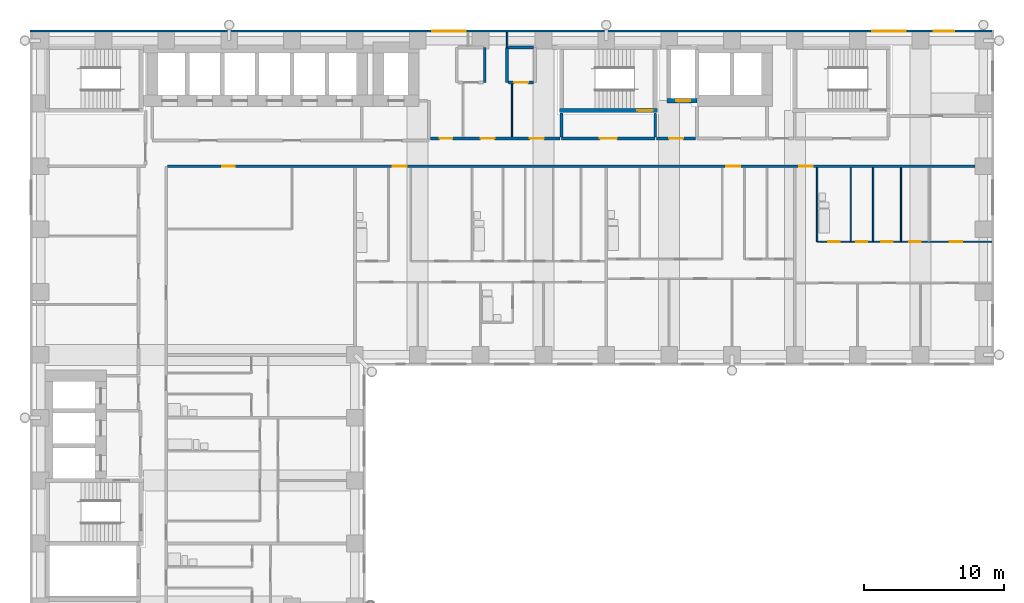
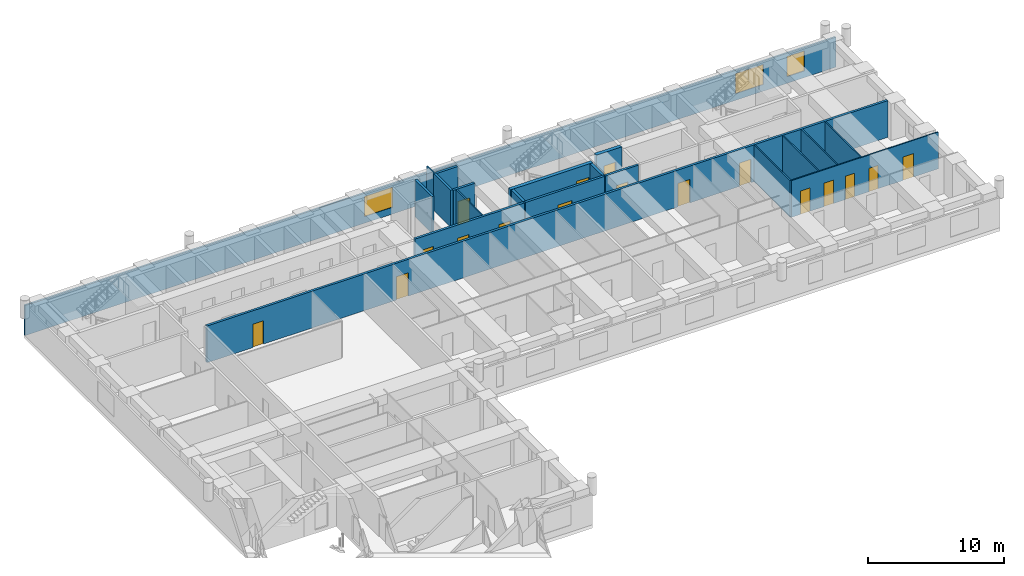
# One storey, part 10 of 14: 20 walls, 17 doors, 3 windows, 20 openings.
"""IFC4 building model written with IfcOpenShell, lengths in metres."""

from ifc_helpers import new_model, si_unit, direction, frame, frame_2d, origin, place, context, subcontext, project, spatial, rectangle, extrude, material, layer, layer_set, type_object, element, fill, save


model = new_model("IFC4")

# Units and contexts
model_context = context("Model", 3, precision=1e-05, world=origin(), true_north=direction((0.0, 1.0)))
body_context = subcontext(model_context, "Body", "Model", "MODEL_VIEW")
ifc_project = project(units=[si_unit("LENGTHUNIT", "METRE"), si_unit("AREAUNIT", "SQUARE_METRE"), si_unit("VOLUMEUNIT", "CUBIC_METRE"), si_unit("PLANEANGLEUNIT", "RADIAN"), si_unit("MASSUNIT", "GRAM", prefix="KILO")], contexts=[model_context])

# Site, building, storey
site_placement = place(None, origin())
site = spatial("IfcSite", under=ifc_project, at=site_placement, CompositionType="ELEMENT")
building_placement = place(site_placement, origin())
building = spatial("IfcBuilding", under=site, at=building_placement, Name="Firuza Court", CompositionType="ELEMENT")
storey_placement = place(building_placement, frame((0.0, 0.0, 47.0)))
storey = spatial("IfcBuildingStorey", under=building, at=storey_placement, Name="L10", CompositionType="ELEMENT", Elevation=47.0)

# Walls
ifc_material_1 = material(Name="Moisture-resistant gypsum board partition")
ifc_layer_1 = layer(ifc_material_1, 0.10009765625)
ifc_layer_set_1 = layer_set([ifc_layer_1], Name="Moisture-resistant gypsum board partition")
wall_type_1 = type_object("IfcWallType", Name="Bathroom partition 100", PredefinedType="PLUMBINGWALL", material=ifc_layer_set_1)
wall_1_placement = place(storey_placement, frame((55.60009765625, 44.10009765625, 0.0), z_axis=(0.0, 0.0, 1.0), x_axis=(0.0, 1.0, 0.0)))
element("IfcWall", 1, at=wall_1_placement, inside=storey, type_object=wall_type_1, Name="Bathroom partition 100 L10", PredefinedType="PLUMBINGWALL", context=body_context, shape_type="SweptSolid", body=[
    extrude(rectangle(XDim=5.2998046875, YDim=0.10009765625, at=frame_2d((2.64990234375, 0.0))), origin(), (0.0, 0.0, 1.0), 3.300048828125),
])
wall_2_placement = place(storey_placement, frame((58.0, 44.14990234375, 0.0), z_axis=(0.0, 0.0, 1.0), x_axis=(0.0, 1.0, 0.0)))
element("IfcWall", 2, at=wall_2_placement, inside=storey, type_object=wall_type_1, Name="Bathroom partition 100 L10", PredefinedType="PLUMBINGWALL", context=body_context, shape_type="SweptSolid", body=[
    extrude(rectangle(XDim=5.25, YDim=0.10009765625, at=frame_2d((2.625, 0.0))), origin(), (0.0, 0.0, 1.0), 3.300048828125),
])

# Wall, opening, door
ifc_material_2 = material(Name="Concrete C60/75", Category="concrete")
ifc_layer_2 = layer(ifc_material_2, 0.300048828125)
ifc_layer_set_2 = layer_set([ifc_layer_2], Name="Concrete C60/75")
wall_type_2 = type_object("IfcWallType", Name="Core wall 300 C60/75", PredefinedType="SHEAR", material=ifc_layer_set_2)
wall_3_placement = place(storey_placement, frame((37.14990234375, 53.5, -0.300048828125), z_axis=(0.0, 0.0, 1.0), x_axis=(1.0, 0.0, 0.0)))
wall_3 = element("IfcWall", 3, at=wall_3_placement, inside=storey, type_object=wall_type_2, Name="Core wall stair L10", PredefinedType="SHEAR", context=body_context, shape_type="SweptSolid", body=[
    extrude(rectangle(XDim=7.0, YDim=0.300048828125, at=frame_2d((3.5, 0.0))), origin(), (0.0, 0.0, 1.0), 3.60009765625),
])
opening_1_placement = place(wall_3_placement, frame((5.580078125, 0.0, 0.300048828125)))
opening_1 = element("IfcOpeningElement", 4, at=opening_1_placement, cuts=wall_3, Name="Opening D10013", PredefinedType="OPENING", context=body_context, shape_type="SweptSolid", body=[
    extrude(rectangle(XDim=1.10009765625, YDim=2.10009765625, at=frame_2d((0.550048828125, 1.050048828125))), frame((0.0, 0.162109375, 0.0), z_axis=(0.0, -1.0, 0.0), x_axis=(1.0, 0.0, 0.0)), (0.0, 0.0, 1.0), 0.323974609375),
])
ifc_material_3 = material(Name="Timber door leaf in hardwood frame", Category="wood")
door_type_1 = type_object("IfcDoorType", Name="Stair door 1100", OperationType="SINGLE_SWING_LEFT", PredefinedType="DOOR", material=ifc_material_3)
door_1_placement = place(opening_1_placement, origin())
door_1 = element("IfcDoor", 5, at=door_1_placement, inside=storey, type_object=door_type_1, Name="Stair door S1", OperationType="SINGLE_SWING_RIGHT", OverallHeight=2.10009765625, OverallWidth=1.10009765625, PredefinedType="DOOR", context=body_context, shape_type="SweptSolid", body=[
    extrude(rectangle(XDim=1.10009765625, YDim=2.10009765625, at=frame_2d((0.550048828125, 1.050048828125))), frame((0.0, 0.02490234375, 0.0), z_axis=(0.0, -1.0, 0.0), x_axis=(1.0, 0.0, 0.0)), (0.0, 0.0, 1.0), 0.050048828125),
])
fill(opening_1, door_1)

wall_4_placement = place(storey_placement, frame((44.85009765625, 54.199951171875, -0.300048828125), z_axis=(0.0, 0.0, 1.0), x_axis=(1.0, 0.0, 0.0)))
wall_4 = element("IfcWall", 6, at=wall_4_placement, inside=storey, type_object=wall_type_2, Name="Core wall riser L10", PredefinedType="SHEAR", context=body_context, shape_type="SweptSolid", body=[
    extrude(rectangle(XDim=2.14990234375, YDim=0.300048828125, at=frame_2d((1.074951171875, 0.0))), origin(), (0.0, 0.0, 1.0), 3.60009765625),
])
opening_2_placement = place(wall_4_placement, frame((0.64990234375, 0.0, 0.300048828125)))
opening_2 = element("IfcOpeningElement", 7, at=opening_2_placement, cuts=wall_4, Name="Opening D10011", PredefinedType="OPENING", context=body_context, shape_type="SweptSolid", body=[
    extrude(rectangle(XDim=1.0, YDim=2.10009765625, at=frame_2d((0.5, 1.050048828125))), frame((0.0, 0.162109375, 0.0), z_axis=(0.0, -1.0, 0.0), x_axis=(1.0, 0.0, 0.0)), (0.0, 0.0, 1.0), 0.323974609375),
])
ifc_material_4 = material(Name="Timber door leaf in hardwood frame", Category="wood")
door_type_2 = type_object("IfcDoorType", Name="Riser door 1000", OperationType="SINGLE_SWING_LEFT", PredefinedType="DOOR", material=ifc_material_4)
door_2_placement = place(opening_2_placement, origin())
door_2 = element("IfcDoor", 8, at=door_2_placement, inside=storey, type_object=door_type_2, Name="Riser door R3", OperationType="SINGLE_SWING_LEFT", OverallHeight=2.10009765625, OverallWidth=1.0, PredefinedType="DOOR", context=body_context, shape_type="SweptSolid", body=[
    extrude(rectangle(XDim=1.0, YDim=2.10009765625, at=frame_2d((0.5, 1.050048828125))), frame((0.0, 0.02490234375, 0.0), z_axis=(0.0, -1.0, 0.0), x_axis=(1.0, 0.0, 0.0)), (0.0, 0.0, 1.0), 0.050048828125),
])
fill(opening_2, door_2)

# Wall, openings, doors
ifc_material_5 = material(Name="Blockwork, plastered both sides", Category="masonry")
ifc_layer_3 = layer(ifc_material_5, 0.199951171875)
ifc_layer_set_3 = layer_set([ifc_layer_3], Name="Blockwork, plastered both sides")
wall_type_3 = type_object("IfcWallType", Name="Corridor wall 200", PredefinedType="PARTITIONING", material=ifc_layer_set_3)
wall_5_placement = place(storey_placement, frame((9.10009765625, 49.5, 0.0), z_axis=(0.0, 0.0, 1.0), x_axis=(1.0, 0.0, 0.0)))
wall_5 = element("IfcWall", 9, at=wall_5_placement, inside=storey, type_object=wall_type_3, Name="Corridor wall 200 L10", PredefinedType="PARTITIONING", context=body_context, shape_type="SweptSolid", body=[
    extrude(rectangle(XDim=57.7998046875, YDim=0.199951171875, at=frame_2d((28.89990234375, 0.0))), origin(), (0.0, 0.0, 1.0), 3.300048828125),
])
opening_3_placement = place(wall_5_placement, frame((16.10009765625, 0.0, 0.0)))
opening_3 = element("IfcOpeningElement", 10, at=opening_3_placement, cuts=wall_5, Name="Opening D10070", PredefinedType="OPENING", context=body_context, shape_type="SweptSolid", body=[
    extrude(rectangle(XDim=1.0, YDim=2.10009765625, at=frame_2d((0.5, 1.050048828125))), frame((0.0, 0.11181640625, 0.0), z_axis=(0.0, -1.0, 0.0), x_axis=(1.0, 0.0, 0.0)), (0.0, 0.0, 1.0), 0.223876953125),
])
opening_4_placement = place(wall_5_placement, frame((40.0, 0.0, 0.0)))
opening_4 = element("IfcOpeningElement", 11, at=opening_4_placement, cuts=wall_5, Name="Opening D10071", PredefinedType="OPENING", context=body_context, shape_type="SweptSolid", body=[
    extrude(rectangle(XDim=1.0, YDim=2.10009765625, at=frame_2d((0.5, 1.050048828125))), frame((0.0, 0.11181640625, 0.0), z_axis=(0.0, -1.0, 0.0), x_axis=(1.0, 0.0, 0.0)), (0.0, 0.0, 1.0), 0.223876953125),
])
opening_5_placement = place(wall_5_placement, frame((45.199951171875, 0.0, 0.0)))
opening_5 = element("IfcOpeningElement", 12, at=opening_5_placement, cuts=wall_5, Name="Opening D10072", PredefinedType="OPENING", context=body_context, shape_type="SweptSolid", body=[
    extrude(rectangle(XDim=1.0, YDim=2.10009765625, at=frame_2d((0.5, 1.050048828125))), frame((0.0, 0.11181640625, 0.0), z_axis=(0.0, -1.0, 0.0), x_axis=(1.0, 0.0, 0.0)), (0.0, 0.0, 1.0), 0.223876953125),
])
opening_6_placement = place(wall_5_placement, frame((3.89990234375, 0.0, 0.0)))
opening_6 = element("IfcOpeningElement", 13, at=opening_6_placement, cuts=wall_5, Name="Opening D10073", PredefinedType="OPENING", context=body_context, shape_type="SweptSolid", body=[
    extrude(rectangle(XDim=0.89990234375, YDim=2.10009765625, at=frame_2d((0.449951171875, 1.050048828125))), frame((0.0, 0.11181640625, 0.0), z_axis=(0.0, -1.0, 0.0), x_axis=(1.0, 0.0, 0.0)), (0.0, 0.0, 1.0), 0.223876953125),
])
ifc_material_6 = material(Name="Timber door leaf in hardwood frame", Category="wood")
door_type_3 = type_object("IfcDoorType", Name="Flat entrance door 1000", OperationType="SINGLE_SWING_LEFT", PredefinedType="DOOR", material=ifc_material_6)
door_3_placement = place(opening_3_placement, origin())
door_3 = element("IfcDoor", 14, at=door_3_placement, inside=storey, type_object=door_type_3, Name="Flat entrance door", OperationType="SINGLE_SWING_LEFT", OverallHeight=2.10009765625, OverallWidth=1.0, PredefinedType="DOOR", context=body_context, shape_type="SweptSolid", body=[
    extrude(rectangle(XDim=1.0, YDim=2.10009765625, at=frame_2d((0.5, 1.050048828125))), frame((0.0, 0.02490234375, 0.0), z_axis=(0.0, -1.0, 0.0), x_axis=(1.0, 0.0, 0.0)), (0.0, 0.0, 1.0), 0.050048828125),
])
fill(opening_3, door_3)
door_4_placement = place(opening_4_placement, origin())
door_4 = element("IfcDoor", 15, at=door_4_placement, inside=storey, type_object=door_type_3, Name="Flat entrance door", OperationType="SINGLE_SWING_LEFT", OverallHeight=2.10009765625, OverallWidth=1.0, PredefinedType="DOOR", context=body_context, shape_type="SweptSolid", body=[
    extrude(rectangle(XDim=1.0, YDim=2.10009765625, at=frame_2d((0.5, 1.050048828125))), frame((0.0, 0.02490234375, 0.0), z_axis=(0.0, -1.0, 0.0), x_axis=(1.0, 0.0, 0.0)), (0.0, 0.0, 1.0), 0.050048828125),
])
fill(opening_4, door_4)
door_5_placement = place(opening_5_placement, origin())
door_5 = element("IfcDoor", 16, at=door_5_placement, inside=storey, type_object=door_type_3, Name="Flat entrance door", OperationType="SINGLE_SWING_LEFT", OverallHeight=2.10009765625, OverallWidth=1.0, PredefinedType="DOOR", context=body_context, shape_type="SweptSolid", body=[
    extrude(rectangle(XDim=1.0, YDim=2.10009765625, at=frame_2d((0.5, 1.050048828125))), frame((0.0, 0.02490234375, 0.0), z_axis=(0.0, -1.0, 0.0), x_axis=(1.0, 0.0, 0.0)), (0.0, 0.0, 1.0), 0.050048828125),
])
fill(opening_5, door_5)
ifc_material_7 = material(Name="Timber door leaf in hardwood frame", Category="wood")
door_type_4 = type_object("IfcDoorType", Name="Room door 900 EI 30", OperationType="SINGLE_SWING_LEFT", PredefinedType="DOOR", material=ifc_material_7)
door_6_placement = place(opening_6_placement, origin())
door_6 = element("IfcDoor", 17, at=door_6_placement, inside=storey, type_object=door_type_4, Name="Fitness studio door", OperationType="SINGLE_SWING_LEFT", OverallHeight=2.10009765625, OverallWidth=0.89990234375, PredefinedType="DOOR", context=body_context, shape_type="SweptSolid", body=[
    extrude(rectangle(XDim=0.89990234375, YDim=2.10009765625, at=frame_2d((0.449951171875, 1.050048828125))), frame((0.0, 0.02490234375, 0.0), z_axis=(0.0, -1.0, 0.0), x_axis=(1.0, 0.0, 0.0)), (0.0, 0.0, 1.0), 0.050048828125),
])
fill(opening_6, door_6)

wall_6_placement = place(storey_placement, frame((27.89990234375, 51.5, 0.0), z_axis=(0.0, 0.0, 1.0), x_axis=(1.0, 0.0, 0.0)))
wall_6 = element("IfcWall", 18, at=wall_6_placement, inside=storey, type_object=wall_type_3, Name="Corridor wall 200 L10", PredefinedType="PARTITIONING", context=body_context, shape_type="SweptSolid", body=[
    extrude(rectangle(XDim=9.300048828125, YDim=0.199951171875, at=frame_2d((4.64990234375, 0.0))), origin(), (0.0, 0.0, 1.0), 3.300048828125),
])
opening_7_placement = place(wall_6_placement, frame((0.675048828125, 0.0, 0.0)))
opening_7 = element("IfcOpeningElement", 19, at=opening_7_placement, cuts=wall_6, Name="Opening D10074", PredefinedType="OPENING", context=body_context, shape_type="SweptSolid", body=[
    extrude(rectangle(XDim=0.89990234375, YDim=2.10009765625, at=frame_2d((0.449951171875, 1.050048828125))), frame((0.0, 0.11181640625, 0.0), z_axis=(0.0, -1.0, 0.0), x_axis=(1.0, 0.0, 0.0)), (0.0, 0.0, 1.0), 0.223876953125),
])
opening_8_placement = place(wall_6_placement, frame((3.60009765625, 0.0, 0.0)))
opening_8 = element("IfcOpeningElement", 20, at=opening_8_placement, cuts=wall_6, Name="Opening D10075", PredefinedType="OPENING", context=body_context, shape_type="SweptSolid", body=[
    extrude(rectangle(XDim=1.0, YDim=2.10009765625, at=frame_2d((0.5, 1.050048828125))), frame((0.0, 0.11181640625, 0.0), z_axis=(0.0, -1.0, 0.0), x_axis=(1.0, 0.0, 0.0)), (0.0, 0.0, 1.0), 0.223876953125),
])
opening_9_placement = place(wall_6_placement, frame((7.125, 0.0, 0.0)))
opening_9 = element("IfcOpeningElement", 21, at=opening_9_placement, cuts=wall_6, Name="Opening D10076", PredefinedType="OPENING", context=body_context, shape_type="SweptSolid", body=[
    extrude(rectangle(XDim=1.0, YDim=2.10009765625, at=frame_2d((0.5, 1.050048828125))), frame((0.0, 0.11181640625, 0.0), z_axis=(0.0, -1.0, 0.0), x_axis=(1.0, 0.0, 0.0)), (0.0, 0.0, 1.0), 0.223876953125),
])
door_7_placement = place(opening_7_placement, origin())
door_7 = element("IfcDoor", 22, at=door_7_placement, inside=storey, type_object=door_type_4, Name="Residents' workroom door", OperationType="SINGLE_SWING_LEFT", OverallHeight=2.10009765625, OverallWidth=0.89990234375, PredefinedType="DOOR", context=body_context, shape_type="SweptSolid", body=[
    extrude(rectangle(XDim=0.89990234375, YDim=2.10009765625, at=frame_2d((0.449951171875, 1.050048828125))), frame((0.0, 0.02490234375, 0.0), z_axis=(0.0, -1.0, 0.0), x_axis=(1.0, 0.0, 0.0)), (0.0, 0.0, 1.0), 0.050048828125),
])
fill(opening_7, door_7)
ifc_material_8 = material(Name="Timber door leaf in hardwood frame", Category="wood")
door_type_5 = type_object("IfcDoorType", Name="Store door 1000", OperationType="SINGLE_SWING_LEFT", PredefinedType="DOOR", material=ifc_material_8)
door_8_placement = place(opening_8_placement, origin())
door_8 = element("IfcDoor", 23, at=door_8_placement, inside=storey, type_object=door_type_5, Name="Refuse store door", OperationType="SINGLE_SWING_LEFT", OverallHeight=2.10009765625, OverallWidth=1.0, PredefinedType="DOOR", context=body_context, shape_type="SweptSolid", body=[
    extrude(rectangle(XDim=1.0, YDim=2.10009765625, at=frame_2d((0.5, 1.050048828125))), frame((0.0, 0.02490234375, 0.0), z_axis=(0.0, -1.0, 0.0), x_axis=(1.0, 0.0, 0.0)), (0.0, 0.0, 1.0), 0.050048828125),
])
fill(opening_8, door_8)
door_9_placement = place(opening_9_placement, origin())
door_9 = element("IfcDoor", 24, at=door_9_placement, inside=storey, type_object=door_type_5, Name="Cleaner's store door", OperationType="SINGLE_SWING_LEFT", OverallHeight=2.10009765625, OverallWidth=1.0, PredefinedType="DOOR", context=body_context, shape_type="SweptSolid", body=[
    extrude(rectangle(XDim=1.0, YDim=2.10009765625, at=frame_2d((0.5, 1.050048828125))), frame((0.0, 0.02490234375, 0.0), z_axis=(0.0, -1.0, 0.0), x_axis=(1.0, 0.0, 0.0)), (0.0, 0.0, 1.0), 0.050048828125),
])
fill(opening_9, door_9)

# Wall, opening, door
wall_7_placement = place(storey_placement, frame((44.10009765625, 51.5, 0.0), z_axis=(0.0, 0.0, 1.0), x_axis=(1.0, 0.0, 0.0)))
wall_7 = element("IfcWall", 25, at=wall_7_placement, inside=storey, type_object=wall_type_3, Name="Corridor wall 200 L10", PredefinedType="PARTITIONING", context=body_context, shape_type="SweptSolid", body=[
    extrude(rectangle(XDim=2.7998046875, YDim=0.199951171875, at=frame_2d((1.39990234375, 0.0))), origin(), (0.0, 0.0, 1.0), 3.300048828125),
])
opening_10_placement = place(wall_7_placement, frame((0.89990234375, 0.0, 0.0)))
opening_10 = element("IfcOpeningElement", 26, at=opening_10_placement, cuts=wall_7, Name="Opening D10077", PredefinedType="OPENING", context=body_context, shape_type="SweptSolid", body=[
    extrude(rectangle(XDim=1.0, YDim=2.10009765625, at=frame_2d((0.5, 1.050048828125))), frame((0.0, 0.11181640625, 0.0), z_axis=(0.0, -1.0, 0.0), x_axis=(1.0, 0.0, 0.0)), (0.0, 0.0, 1.0), 0.223876953125),
])
door_10_placement = place(opening_10_placement, origin())
door_10 = element("IfcDoor", 27, at=door_10_placement, inside=storey, type_object=door_type_5, Name="Comms room door", OperationType="SINGLE_SWING_LEFT", OverallHeight=2.10009765625, OverallWidth=1.0, PredefinedType="DOOR", context=body_context, shape_type="SweptSolid", body=[
    extrude(rectangle(XDim=1.0, YDim=2.10009765625, at=frame_2d((0.5, 1.050048828125))), frame((0.0, 0.02490234375, 0.0), z_axis=(0.0, -1.0, 0.0), x_axis=(1.0, 0.0, 0.0)), (0.0, 0.0, 1.0), 0.050048828125),
])
fill(opening_10, door_10)

# Wall, openings, doors
ifc_material_9 = material(Name="Timber stud partition, plasterboard both sides", Category="wood")
ifc_layer_4 = layer(ifc_material_9, 0.10009765625)
ifc_layer_set_4 = layer_set([ifc_layer_4], Name="Timber stud partition, plasterboard both sides")
wall_type_4 = type_object("IfcWallType", Name="Partition wall 100", PredefinedType="PARTITIONING", material=ifc_layer_set_4)
wall_8_placement = place(storey_placement, frame((55.64990234375, 44.10009765625, 0.0), z_axis=(0.0, 0.0, 1.0), x_axis=(1.0, 0.0, 0.0)))
wall_8 = element("IfcWall", 28, at=wall_8_placement, inside=storey, type_object=wall_type_4, Name="Partition wall 100 L10", PredefinedType="PARTITIONING", context=body_context, shape_type="SweptSolid", body=[
    extrude(rectangle(XDim=12.4501953125, YDim=0.10009765625, at=frame_2d((6.22509765625, 0.0))), origin(), (0.0, 0.0, 1.0), 3.300048828125),
])
opening_11_placement = place(wall_8_placement, frame((0.75, 0.0, 0.0)))
opening_11 = element("IfcOpeningElement", 29, at=opening_11_placement, cuts=wall_8, Name="Opening D10065", PredefinedType="OPENING", context=body_context, shape_type="SweptSolid", body=[
    extrude(rectangle(XDim=0.800048828125, YDim=2.10009765625, at=frame_2d((0.39990234375, 1.050048828125))), frame((0.0, 0.06201171875, 0.0), z_axis=(0.0, -1.0, 0.0), x_axis=(1.0, 0.0, 0.0)), (0.0, 0.0, 1.0), 0.1240234375),
])
opening_12_placement = place(wall_8_placement, frame((9.449951171875, 0.0, 0.0)))
opening_12 = element("IfcOpeningElement", 30, at=opening_12_placement, cuts=wall_8, Name="Opening D10066", PredefinedType="OPENING", context=body_context, shape_type="SweptSolid", body=[
    extrude(rectangle(XDim=0.89990234375, YDim=2.10009765625, at=frame_2d((0.449951171875, 1.050048828125))), frame((0.0, 0.06201171875, 0.0), z_axis=(0.0, -1.0, 0.0), x_axis=(1.0, 0.0, 0.0)), (0.0, 0.0, 1.0), 0.1240234375),
])
opening_13_placement = place(wall_8_placement, frame((6.550048828125, 0.0, 0.0)))
opening_13 = element("IfcOpeningElement", 31, at=opening_13_placement, cuts=wall_8, Name="Opening D10067", PredefinedType="OPENING", context=body_context, shape_type="SweptSolid", body=[
    extrude(rectangle(XDim=0.800048828125, YDim=2.10009765625, at=frame_2d((0.39990234375, 1.050048828125))), frame((0.0, 0.06201171875, 0.0), z_axis=(0.0, -1.0, 0.0), x_axis=(1.0, 0.0, 0.0)), (0.0, 0.0, 1.0), 0.1240234375),
])
opening_14_placement = place(wall_8_placement, frame((2.75, 0.0, 0.0)))
opening_14 = element("IfcOpeningElement", 32, at=opening_14_placement, cuts=wall_8, Name="Opening D10068", PredefinedType="OPENING", context=body_context, shape_type="SweptSolid", body=[
    extrude(rectangle(XDim=0.800048828125, YDim=2.10009765625, at=frame_2d((0.39990234375, 1.050048828125))), frame((0.0, 0.06201171875, 0.0), z_axis=(0.0, -1.0, 0.0), x_axis=(1.0, 0.0, 0.0)), (0.0, 0.0, 1.0), 0.1240234375),
])
opening_15_placement = place(wall_8_placement, frame((4.550048828125, 0.0, 0.0)))
opening_15 = element("IfcOpeningElement", 33, at=opening_15_placement, cuts=wall_8, Name="Opening D10069", PredefinedType="OPENING", context=body_context, shape_type="SweptSolid", body=[
    extrude(rectangle(XDim=0.800048828125, YDim=2.10009765625, at=frame_2d((0.39990234375, 1.050048828125))), frame((0.0, 0.06201171875, 0.0), z_axis=(0.0, -1.0, 0.0), x_axis=(1.0, 0.0, 0.0)), (0.0, 0.0, 1.0), 0.1240234375),
])
ifc_material_10 = material(Name="Timber door leaf in hardwood frame", Category="wood")
door_type_6 = type_object("IfcDoorType", Name="Bathroom door 800", OperationType="SINGLE_SWING_LEFT", PredefinedType="DOOR", material=ifc_material_10)
door_11_placement = place(opening_11_placement, origin())
door_11 = element("IfcDoor", 34, at=door_11_placement, inside=storey, type_object=door_type_6, Name="Bathroom door", OperationType="SINGLE_SWING_LEFT", OverallHeight=2.10009765625, OverallWidth=0.800048828125, PredefinedType="DOOR", context=body_context, shape_type="SweptSolid", body=[
    extrude(rectangle(XDim=0.800048828125, YDim=2.10009765625, at=frame_2d((0.39990234375, 1.050048828125))), frame((0.0, 0.02490234375, 0.0), z_axis=(0.0, -1.0, 0.0), x_axis=(1.0, 0.0, 0.0)), (0.0, 0.0, 1.0), 0.050048828125),
])
fill(opening_11, door_11)
ifc_material_11 = material(Name="Timber door leaf in hardwood frame", Category="wood")
door_type_7 = type_object("IfcDoorType", Name="Room door 800", OperationType="SINGLE_SWING_LEFT", PredefinedType="DOOR", material=ifc_material_11)
door_12_placement = place(opening_13_placement, origin())
door_12 = element("IfcDoor", 35, at=door_12_placement, inside=storey, type_object=door_type_7, Name="Pantry door", OperationType="SINGLE_SWING_LEFT", OverallHeight=2.10009765625, OverallWidth=0.800048828125, PredefinedType="DOOR", context=body_context, shape_type="SweptSolid", body=[
    extrude(rectangle(XDim=0.800048828125, YDim=2.10009765625, at=frame_2d((0.39990234375, 1.050048828125))), frame((0.0, 0.02490234375, 0.0), z_axis=(0.0, -1.0, 0.0), x_axis=(1.0, 0.0, 0.0)), (0.0, 0.0, 1.0), 0.050048828125),
])
fill(opening_13, door_12)
door_13_placement = place(opening_14_placement, origin())
door_13 = element("IfcDoor", 36, at=door_13_placement, inside=storey, type_object=door_type_7, Name="Store door", OperationType="SINGLE_SWING_LEFT", OverallHeight=2.10009765625, OverallWidth=0.800048828125, PredefinedType="DOOR", context=body_context, shape_type="SweptSolid", body=[
    extrude(rectangle(XDim=0.800048828125, YDim=2.10009765625, at=frame_2d((0.39990234375, 1.050048828125))), frame((0.0, 0.02490234375, 0.0), z_axis=(0.0, -1.0, 0.0), x_axis=(1.0, 0.0, 0.0)), (0.0, 0.0, 1.0), 0.050048828125),
])
fill(opening_14, door_13)
door_14_placement = place(opening_15_placement, origin())
door_14 = element("IfcDoor", 37, at=door_14_placement, inside=storey, type_object=door_type_7, Name="Utility room door", OperationType="SINGLE_SWING_LEFT", OverallHeight=2.10009765625, OverallWidth=0.800048828125, PredefinedType="DOOR", context=body_context, shape_type="SweptSolid", body=[
    extrude(rectangle(XDim=0.800048828125, YDim=2.10009765625, at=frame_2d((0.39990234375, 1.050048828125))), frame((0.0, 0.02490234375, 0.0), z_axis=(0.0, -1.0, 0.0), x_axis=(1.0, 0.0, 0.0)), (0.0, 0.0, 1.0), 0.050048828125),
])
fill(opening_15, door_14)
ifc_material_12 = material(Name="Timber door leaf in hardwood frame", Category="wood")
door_type_8 = type_object("IfcDoorType", Name="Room door 900", OperationType="SINGLE_SWING_LEFT", PredefinedType="DOOR", material=ifc_material_12)
door_15_placement = place(opening_12_placement, origin())
door_15 = element("IfcDoor", 38, at=door_15_placement, inside=storey, type_object=door_type_8, Name="Kitchen door", OperationType="SINGLE_SWING_LEFT", OverallHeight=2.10009765625, OverallWidth=0.89990234375, PredefinedType="DOOR", context=body_context, shape_type="SweptSolid", body=[
    extrude(rectangle(XDim=0.89990234375, YDim=2.10009765625, at=frame_2d((0.449951171875, 1.050048828125))), frame((0.0, 0.02490234375, 0.0), z_axis=(0.0, -1.0, 0.0), x_axis=(1.0, 0.0, 0.0)), (0.0, 0.0, 1.0), 0.050048828125),
])
fill(opening_12, door_15)

# Walls
for number, where, z_axis, x_axis, name in (
    (39, (59.60009765625, 44.14990234375, 0.0), (0.0, 0.0, 1.0), (0.0, 1.0, 0.0), "Partition wall 100 L10"),
    (40, (61.60009765625, 44.14990234375, 0.0), (0.0, 0.0, 1.0), (0.0, 1.0, 0.0), "Partition wall 100 L10"),
):
    element("IfcWall", number, at=place(storey_placement, frame(where, z_axis=z_axis, x_axis=x_axis)), inside=storey, type_object=wall_type_4, Name=name, PredefinedType="PARTITIONING", context=body_context, shape_type="SweptSolid", body=[
        extrude(rectangle(XDim=5.25, YDim=0.10009765625, at=frame_2d((2.625, 0.0))), origin(), (0.0, 0.0, 1.0), 3.300048828125),
    ])
wall_9_placement = place(storey_placement, frame((33.75, 51.60009765625, 0.0), z_axis=(0.0, 0.0, 1.0), x_axis=(0.0, 1.0, 0.0)))
element("IfcWall", 41, at=wall_9_placement, inside=storey, type_object=wall_type_4, Name="Partition wall 100 L10", PredefinedType="PARTITIONING", context=body_context, shape_type="SweptSolid", body=[
    extrude(rectangle(XDim=3.7998046875, YDim=0.10009765625, at=frame_2d((1.89990234375, 0.0))), origin(), (0.0, 0.0, 1.0), 3.300048828125),
])
wall_10_placement = place(storey_placement, frame((33.39990234375, 58.0, 0.0), z_axis=(0.0, 0.0, 1.0), x_axis=(0.0, 1.0, 0.0)))
element("IfcWall", 42, at=wall_10_placement, inside=storey, type_object=wall_type_4, Name="Partition wall 100 L10", PredefinedType="PARTITIONING", context=body_context, shape_type="SweptSolid", body=[
    extrude(rectangle(XDim=1.10009765625, YDim=0.10009765625, at=frame_2d((0.550048828125, 0.0))), origin(), (0.0, 0.0, 1.0), 3.300048828125),
])
ifc_material_13 = material(Name="Blockwork, fire-rated", Category="masonry")
ifc_layer_5 = layer(ifc_material_13, 0.199951171875)
ifc_layer_set_5 = layer_set([ifc_layer_5], Name="Blockwork, fire-rated")
wall_type_5 = type_object("IfcWallType", Name="Plant room wall 200", PredefinedType="PARTITIONING", material=ifc_layer_set_5)
for number, where, z_axis, x_axis, name in (
    (43, (31.800048828125, 55.5, 0.0), (0.0, 0.0, 1.0), (0.0, 1.0, 0.0), "Plant room wall 200 L10"),
    (44, (33.39990234375, 55.5, 0.0), (0.0, 0.0, 1.0), (0.0, 1.0, 0.0), "Plant room wall 200 L10"),
):
    element("IfcWall", number, at=place(storey_placement, frame(where, z_axis=z_axis, x_axis=x_axis)), inside=storey, type_object=wall_type_5, Name=name, PredefinedType="PARTITIONING", context=body_context, shape_type="SweptSolid", body=[
        extrude(rectangle(XDim=2.5, YDim=0.199951171875, at=frame_2d((1.25, 0.0))), origin(), (0.0, 0.0, 1.0), 3.300048828125),
    ])

# Wall, opening, door
wall_11_placement = place(storey_placement, frame((33.5, 55.5, 0.0), z_axis=(0.0, 0.0, 1.0), x_axis=(1.0, 0.0, 0.0)))
wall_11 = element("IfcWall", 45, at=wall_11_placement, inside=storey, type_object=wall_type_5, Name="Plant room wall 200 L10", PredefinedType="PARTITIONING", context=body_context, shape_type="SweptSolid", body=[
    extrude(rectangle(XDim=1.800048828125, YDim=0.199951171875, at=frame_2d((0.89990234375, 0.0))), origin(), (0.0, 0.0, 1.0), 3.300048828125),
])
opening_16_placement = place(wall_11_placement, frame((0.39990234375, 0.0, 0.0)))
opening_16 = element("IfcOpeningElement", 46, at=opening_16_placement, cuts=wall_11, Name="Opening D10081", PredefinedType="OPENING", context=body_context, shape_type="SweptSolid", body=[
    extrude(rectangle(XDim=1.0, YDim=2.10009765625, at=frame_2d((0.5, 1.050048828125))), frame((0.0, 0.11181640625, 0.0), z_axis=(0.0, -1.0, 0.0), x_axis=(1.0, 0.0, 0.0)), (0.0, 0.0, 1.0), 0.223876953125),
])
door_16_placement = place(opening_16_placement, origin())
door_16 = element("IfcDoor", 47, at=door_16_placement, inside=storey, type_object=door_type_2, Name="Duct riser door", OperationType="SINGLE_SWING_LEFT", OverallHeight=2.10009765625, OverallWidth=1.0, PredefinedType="DOOR", context=body_context, shape_type="SweptSolid", body=[
    extrude(rectangle(XDim=1.0, YDim=2.10009765625, at=frame_2d((0.5, 1.050048828125))), frame((0.0, 0.02490234375, 0.0), z_axis=(0.0, -1.0, 0.0), x_axis=(1.0, 0.0, 0.0)), (0.0, 0.0, 1.0), 0.050048828125),
])
fill(opening_16, door_16)

# Wall
wall_12_placement = place(storey_placement, frame((33.5, 58.0, 0.0), z_axis=(0.0, 0.0, 1.0), x_axis=(1.0, 0.0, 0.0)))
element("IfcWall", 48, at=wall_12_placement, inside=storey, type_object=wall_type_5, Name="Plant room wall 200 L10", PredefinedType="PARTITIONING", context=body_context, shape_type="SweptSolid", body=[
    extrude(rectangle(XDim=1.800048828125, YDim=0.199951171875, at=frame_2d((0.89990234375, 0.0))), origin(), (0.0, 0.0, 1.0), 3.300048828125),
])

# Wall, openings, windows
ifc_material_14 = material(Name="Ceramic tile", Category="ceramic")
ifc_layer_6 = layer(ifc_material_14, 0.02001953125)
ifc_material_15 = material(Name="Mineral wool insulation", Category="insulation")
ifc_layer_7 = layer(ifc_material_15, 0.050048828125)
ifc_material_16 = material(Name="Concrete C40/50 precast", Category="concrete")
ifc_layer_8 = layer(ifc_material_16, 0.080078125)
ifc_layer_set_6 = layer_set([ifc_layer_6, ifc_layer_7, ifc_layer_8], Name="Concrete C40/50 precast")
wall_type_6 = type_object("IfcWallType", Name="Precast cladding wall with turquoise TILE PANEL face 150", PredefinedType="STANDARD", material=ifc_layer_set_6)
wall_13_placement = place(storey_placement, frame((68.10009765625, 59.175048828125, 0.0), z_axis=(0.0, 0.0, 1.0), x_axis=(-1.0, 0.0, 0.0)))
wall_13 = element("IfcWall", 49, at=wall_13_placement, inside=storey, type_object=wall_type_6, Name="Facade wall L10 N", PredefinedType="STANDARD", context=body_context, shape_type="SweptSolid", body=[
    extrude(rectangle(XDim=68.85009765625, YDim=0.14990234375, at=frame_2d((34.425048828125, 0.0))), origin(), (0.0, 0.0, 1.0), 2.699951171875),
])
opening_17_placement = place(wall_13_placement, frame((2.67041015625, 0.0, 0.60009765625)))
opening_17 = element("IfcOpeningElement", 50, at=opening_17_placement, cuts=wall_13, Name="Opening W2", PredefinedType="OPENING", context=body_context, shape_type="SweptSolid", body=[
    extrude(rectangle(XDim=1.5, YDim=1.800048828125, at=frame_2d((0.75, 0.89990234375))), frame((0.0, 0.0869140625, 0.0), z_axis=(0.0, -1.0, 0.0), x_axis=(1.0, 0.0, 0.0)), (0.0, 0.0, 1.0), 0.173828125),
])
opening_18_placement = place(wall_13_placement, frame((6.14990234375, 0.0, 0.60009765625)))
opening_18 = element("IfcOpeningElement", 51, at=opening_18_placement, cuts=wall_13, Name="Opening W1", PredefinedType="OPENING", context=body_context, shape_type="SweptSolid", body=[
    extrude(rectangle(XDim=2.39990234375, YDim=1.800048828125, at=frame_2d((1.199951171875, 0.89990234375))), frame((0.0, 0.0869140625, 0.0), z_axis=(0.0, -1.0, 0.0), x_axis=(1.0, 0.0, 0.0)), (0.0, 0.0, 1.0), 0.173828125),
])
opening_19_placement = place(wall_13_placement, frame((37.64990234375, 0.0, 0.60009765625)))
opening_19 = element("IfcOpeningElement", 52, at=opening_19_placement, cuts=wall_13, Name="Opening W1", PredefinedType="OPENING", context=body_context, shape_type="SweptSolid", body=[
    extrude(rectangle(XDim=2.39990234375, YDim=1.800048828125, at=frame_2d((1.199951171875, 0.89990234375))), frame((0.0, 0.0869140625, 0.0), z_axis=(0.0, -1.0, 0.0), x_axis=(1.0, 0.0, 0.0)), (0.0, 0.0, 1.0), 0.173828125),
])
ifc_material_17 = material(Name="Aluminium frame, triple clear glazing", Category="aluminium")
window_type_1 = type_object("IfcWindowType", Name="Window W1 2400 x 1800", PartitioningType="SINGLE_PANEL", PredefinedType="WINDOW", material=ifc_material_17)
window_1_placement = place(opening_18_placement, origin())
window_1 = element("IfcWindow", 53, at=window_1_placement, inside=storey, type_object=window_type_1, Name="Window L10", OverallHeight=1.800048828125, OverallWidth=2.39990234375, PartitioningType="SINGLE_PANEL", PredefinedType="WINDOW", context=body_context, shape_type="SweptSolid", body=[
    extrude(rectangle(XDim=2.39990234375, YDim=1.800048828125, at=frame_2d((1.199951171875, 0.89990234375))), frame((0.0, 0.030029296875, 0.0), z_axis=(0.0, -1.0, 0.0), x_axis=(1.0, 0.0, 0.0)), (0.0, 0.0, 1.0), 0.06005859375),
])
fill(opening_18, window_1)
window_2_placement = place(opening_19_placement, origin())
window_2 = element("IfcWindow", 54, at=window_2_placement, inside=storey, type_object=window_type_1, Name="Window L10", OverallHeight=1.800048828125, OverallWidth=2.39990234375, PartitioningType="SINGLE_PANEL", PredefinedType="WINDOW", context=body_context, shape_type="SweptSolid", body=[
    extrude(rectangle(XDim=2.39990234375, YDim=1.800048828125, at=frame_2d((1.199951171875, 0.89990234375))), frame((0.0, 0.030029296875, 0.0), z_axis=(0.0, -1.0, 0.0), x_axis=(1.0, 0.0, 0.0)), (0.0, 0.0, 1.0), 0.06005859375),
])
fill(opening_19, window_2)
ifc_material_18 = material(Name="Aluminium frame, triple clear glazing", Category="aluminium")
window_type_2 = type_object("IfcWindowType", Name="Window W2 1500 x 1800", PartitioningType="SINGLE_PANEL", PredefinedType="WINDOW", material=ifc_material_18)
window_3_placement = place(opening_17_placement, origin())
window_3 = element("IfcWindow", 55, at=window_3_placement, inside=storey, type_object=window_type_2, Name="Window L10", OverallHeight=1.800048828125, OverallWidth=1.5, PartitioningType="SINGLE_PANEL", PredefinedType="WINDOW", context=body_context, shape_type="SweptSolid", body=[
    extrude(rectangle(XDim=1.5, YDim=1.800048828125, at=frame_2d((0.75, 0.89990234375))), frame((0.0, 0.030029296875, 0.0), z_axis=(0.0, -1.0, 0.0), x_axis=(1.0, 0.0, 0.0)), (0.0, 0.0, 1.0), 0.06005859375),
])
fill(opening_17, window_3)

# Wall, opening, door
ifc_layer_9 = layer(ifc_material_13, 0.199951171875)
ifc_layer_set_7 = layer_set([ifc_layer_9], Name="Blockwork, fire-rated")
wall_type_7 = type_object("IfcWallType", Name="Shaft wall 200", PredefinedType="PARTITIONING", material=ifc_layer_set_7)
wall_14_placement = place(storey_placement, frame((37.300048828125, 51.5, 0.0), z_axis=(0.0, 0.0, 1.0), x_axis=(1.0, 0.0, 0.0)))
wall_14 = element("IfcWall", 56, at=wall_14_placement, inside=storey, type_object=wall_type_7, Name="Shaft wall 200 L10", PredefinedType="PARTITIONING", context=body_context, shape_type="SweptSolid", body=[
    extrude(rectangle(XDim=6.699951171875, YDim=0.199951171875, at=frame_2d((3.35009765625, 0.0))), origin(), (0.0, 0.0, 1.0), 3.300048828125),
])
opening_20_placement = place(wall_14_placement, frame((2.75, 0.0, 0.0)))
opening_20 = element("IfcOpeningElement", 57, at=opening_20_placement, cuts=wall_14, Name="Opening D10006", PredefinedType="OPENING", context=body_context, shape_type="SweptSolid", body=[
    extrude(rectangle(XDim=1.199951171875, YDim=2.10009765625, at=frame_2d((0.60009765625, 1.050048828125))), frame((0.0, 0.11181640625, 0.0), z_axis=(0.0, -1.0, 0.0), x_axis=(1.0, 0.0, 0.0)), (0.0, 0.0, 1.0), 0.223876953125),
])
ifc_material_19 = material(Name="Timber door leaf in hardwood frame", Category="wood")
door_type_9 = type_object("IfcDoorType", Name="Lobby door 1200", OperationType="SINGLE_SWING_LEFT", PredefinedType="DOOR", material=ifc_material_19)
door_17_placement = place(opening_20_placement, origin())
door_17 = element("IfcDoor", 58, at=door_17_placement, inside=storey, type_object=door_type_9, Name="Lobby door", OperationType="SINGLE_SWING_LEFT", OverallHeight=2.10009765625, OverallWidth=1.199951171875, PredefinedType="DOOR", context=body_context, shape_type="SweptSolid", body=[
    extrude(rectangle(XDim=1.199951171875, YDim=2.10009765625, at=frame_2d((0.60009765625, 1.050048828125))), frame((0.0, 0.02490234375, 0.0), z_axis=(0.0, -1.0, 0.0), x_axis=(1.0, 0.0, 0.0)), (0.0, 0.0, 1.0), 0.050048828125),
])
fill(opening_20, door_17)

# Walls
for number, where, z_axis, x_axis, name in (
    (59, (44.0, 51.60009765625, 0.0), (0.0, 0.0, 1.0), (0.0, 1.0, 0.0), "Shaft wall 200 L10"),
    (60, (37.300048828125, 51.60009765625, 0.0), (0.0, 0.0, 1.0), (0.0, 1.0, 0.0), "Shaft wall 200 L10"),
):
    element("IfcWall", number, at=place(storey_placement, frame(where, z_axis=z_axis, x_axis=x_axis)), inside=storey, type_object=wall_type_7, Name=name, PredefinedType="PARTITIONING", context=body_context, shape_type="SweptSolid", body=[
        extrude(rectangle(XDim=1.72998046875, YDim=0.199951171875, at=frame_2d((0.864990234375, 0.0))), origin(), (0.0, 0.0, 1.0), 3.300048828125),
    ])

save(model, "model.ifc")
